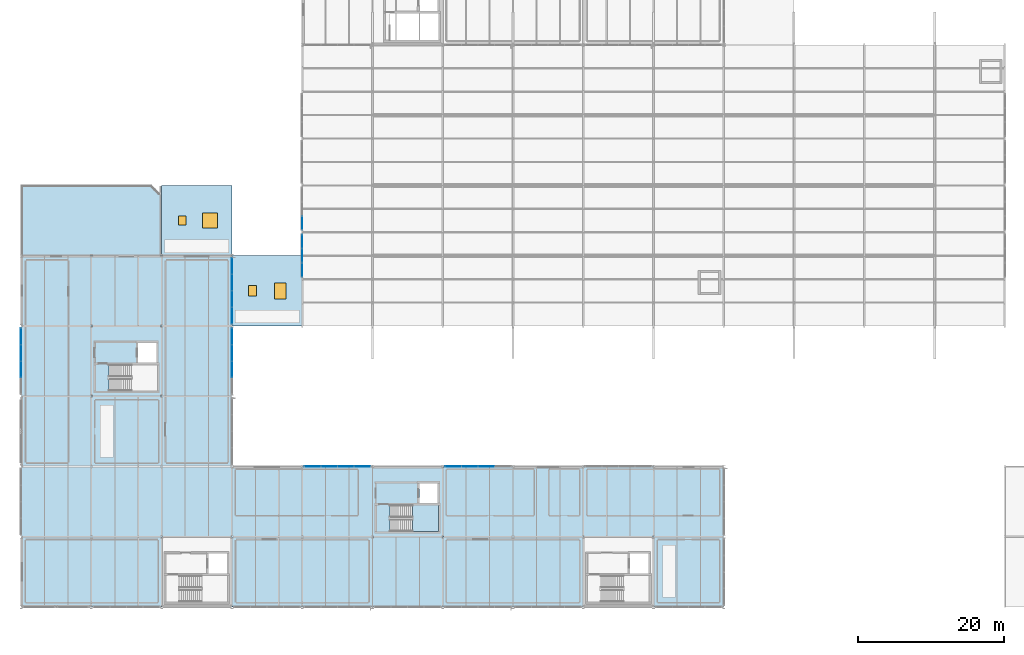
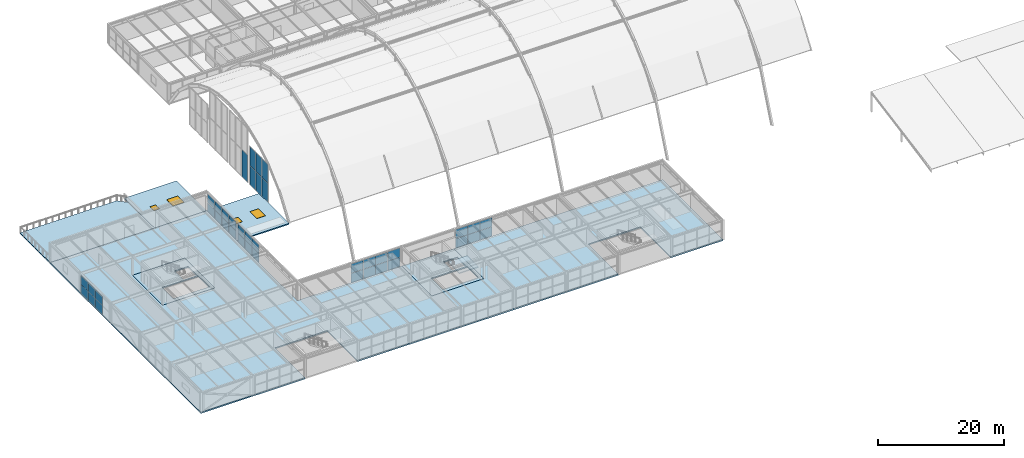
# One storey, part 105 of 126: 41 plates, 7 slabs, 2 doors, 2 windows, 4 openings, 8 elements without a shape of their own.
"""IFC4 building model written with IfcOpenShell, lengths in metres."""

from ifc_helpers import new_model, si_unit, direction, frame, origin, origin_2d, place, context, subcontext, project, spatial, polyline, rectangle, outline, extrude, material, layer, layer_set, type_object, element, fill, aggregate, save


model = new_model("IFC4")

# Units and contexts
model_context = context("Model", 3, precision=1e-05, world=origin(), true_north=direction((0.0, 1.0)))
body_context = subcontext(model_context, "Body", "Model", "MODEL_VIEW")
ifc_project = project(units=[si_unit("LENGTHUNIT", "METRE"), si_unit("AREAUNIT", "SQUARE_METRE"), si_unit("VOLUMEUNIT", "CUBIC_METRE"), si_unit("PLANEANGLEUNIT", "RADIAN"), si_unit("MASSUNIT", "GRAM", prefix="KILO")], contexts=[model_context])

# Site, building, storey
site_placement = place(None, origin())
site = spatial("IfcSite", under=ifc_project, at=site_placement, CompositionType="ELEMENT")
building_placement = place(site_placement, origin())
building = spatial("IfcBuilding", under=site, at=building_placement, Name="Coralgate Yard Interchange", CompositionType="ELEMENT")
storey_placement = place(building_placement, frame((0.0, 0.0, 10.5)))
storey = spatial("IfcBuildingStorey", under=building, at=storey_placement, Name="L02", CompositionType="ELEMENT", Elevation=10.5)

# Curtain wall, plates
ifc_material_1 = material(Name="Anodised coastal aluminium and solar-control low-E glass", Category="aluminium")
curtain_wall_type_1 = type_object("IfcCurtainWallType", Name="CW-CW-L02-A", PredefinedType="NOTDEFINED", material=ifc_material_1)
curtain_wall_1_placement = place(storey_placement, origin())
curtain_wall_1 = element("IfcCurtainWall", 1, at=curtain_wall_1_placement, inside=storey, type_object=curtain_wall_type_1, Name="L02 unitised curtain wall CW-L02-W-00-03", PredefinedType="NOTDEFINED")
ifc_material_2 = material(Name="Solar-control double-glazed low-E glass unit", Category="glass")
ifc_layer_1 = layer(ifc_material_2, 0.028076171875)
ifc_layer_set_1 = layer_set([ifc_layer_1], Name="Solar-control double-glazed low-E glass unit")
plate_type_1 = type_object("IfcPlateType", Name="PLT-CP-28", PredefinedType="CURTAIN_PANEL", material=ifc_layer_set_1)
plate_1_placement = place(storey_placement, frame((0.0, 32.47509765625, 0.02490234375), z_axis=(0.0, 0.0, 1.0), x_axis=(0.0, 1.0, 0.0)))
plate_1 = element("IfcPlate", 2, at=plate_1_placement, type_object=plate_type_1, Name="CW-L02-W-00-03 solar-control glazing panel 2-1", PredefinedType="CURTAIN_PANEL", context=body_context, shape_type="SweptSolid", body=[
    extrude(rectangle(XDim=2.199951171875, YDim=0.028076171875, at=origin_2d()), origin(), (0.0, 0.0, 1.0), 1.696533203125),
])
plate_2_placement = place(storey_placement, frame((0.0, 32.47509765625, 1.771484375), z_axis=(0.0, 0.0, 1.0), x_axis=(0.0, 1.0, 0.0)))
plate_2 = element("IfcPlate", 3, at=plate_2_placement, type_object=plate_type_1, Name="CW-L02-W-00-03 solar-control glazing panel 2-2", PredefinedType="CURTAIN_PANEL", context=body_context, shape_type="SweptSolid", body=[
    extrude(rectangle(XDim=2.199951171875, YDim=0.028076171875, at=origin_2d()), origin(), (0.0, 0.0, 1.0), 1.696533203125),
])
plate_3_placement = place(storey_placement, frame((0.0, 34.72509765625, 0.02490234375), z_axis=(0.0, 0.0, 1.0), x_axis=(0.0, 1.0, 0.0)))
plate_3 = element("IfcPlate", 4, at=plate_3_placement, type_object=plate_type_1, Name="CW-L02-W-00-03 solar-control glazing panel 3-1", PredefinedType="CURTAIN_PANEL", context=body_context, shape_type="SweptSolid", body=[
    extrude(rectangle(XDim=2.199951171875, YDim=0.028076171875, at=origin_2d()), origin(), (0.0, 0.0, 1.0), 1.696533203125),
])
plate_4_placement = place(storey_placement, frame((0.0, 34.72509765625, 1.771484375), z_axis=(0.0, 0.0, 1.0), x_axis=(0.0, 1.0, 0.0)))
plate_4 = element("IfcPlate", 5, at=plate_4_placement, type_object=plate_type_1, Name="CW-L02-W-00-03 solar-control glazing panel 3-2", PredefinedType="CURTAIN_PANEL", context=body_context, shape_type="SweptSolid", body=[
    extrude(rectangle(XDim=2.199951171875, YDim=0.028076171875, at=origin_2d()), origin(), (0.0, 0.0, 1.0), 1.696533203125),
])
plate_5_placement = place(storey_placement, frame((0.0, 36.97509765625, 0.02490234375), z_axis=(0.0, 0.0, 1.0), x_axis=(0.0, 1.0, 0.0)))
plate_5 = element("IfcPlate", 6, at=plate_5_placement, type_object=plate_type_1, Name="CW-L02-W-00-03 solar-control glazing panel 4-1", PredefinedType="CURTAIN_PANEL", context=body_context, shape_type="SweptSolid", body=[
    extrude(rectangle(XDim=2.199951171875, YDim=0.028076171875, at=origin_2d()), origin(), (0.0, 0.0, 1.0), 1.696533203125),
])
plate_6_placement = place(storey_placement, frame((0.0, 36.97509765625, 1.771484375), z_axis=(0.0, 0.0, 1.0), x_axis=(0.0, 1.0, 0.0)))
plate_6 = element("IfcPlate", 7, at=plate_6_placement, type_object=plate_type_1, Name="CW-L02-W-00-03 solar-control glazing panel 4-2", PredefinedType="CURTAIN_PANEL", context=body_context, shape_type="SweptSolid", body=[
    extrude(rectangle(XDim=2.199951171875, YDim=0.028076171875, at=origin_2d()), origin(), (0.0, 0.0, 1.0), 1.696533203125),
])
aggregate(curtain_wall_1, [plate_1, plate_2, plate_3, plate_4, plate_5, plate_6])

curtain_wall_2_placement = place(storey_placement, origin())
curtain_wall_2 = element("IfcCurtainWall", 8, at=curtain_wall_2_placement, inside=storey, type_object=curtain_wall_type_1, Name="L02 unitised curtain wall CW-L02-E-02-03", PredefinedType="NOTDEFINED")
plate_7_placement = place(storey_placement, frame((28.800048828125, 36.97509765625, 0.02490234375), z_axis=(0.0, 0.0, 1.0), x_axis=(0.0, -1.0, 0.0)))
plate_7 = element("IfcPlate", 9, at=plate_7_placement, type_object=plate_type_1, Name="CW-L02-E-02-03 solar-control glazing panel 1-1", PredefinedType="CURTAIN_PANEL", context=body_context, shape_type="SweptSolid", body=[
    extrude(rectangle(XDim=2.199951171875, YDim=0.028076171875, at=origin_2d()), origin(), (0.0, 0.0, 1.0), 1.696533203125),
])
plate_8_placement = place(storey_placement, frame((28.800048828125, 36.97509765625, 1.771484375), z_axis=(0.0, 0.0, 1.0), x_axis=(0.0, -1.0, 0.0)))
plate_8 = element("IfcPlate", 10, at=plate_8_placement, type_object=plate_type_1, Name="CW-L02-E-02-03 solar-control glazing panel 1-2", PredefinedType="CURTAIN_PANEL", context=body_context, shape_type="SweptSolid", body=[
    extrude(rectangle(XDim=2.199951171875, YDim=0.028076171875, at=origin_2d()), origin(), (0.0, 0.0, 1.0), 1.696533203125),
])
plate_9_placement = place(storey_placement, frame((28.800048828125, 34.72509765625, 0.02490234375), z_axis=(0.0, 0.0, 1.0), x_axis=(0.0, -1.0, 0.0)))
plate_9 = element("IfcPlate", 11, at=plate_9_placement, type_object=plate_type_1, Name="CW-L02-E-02-03 solar-control glazing panel 2-1", PredefinedType="CURTAIN_PANEL", context=body_context, shape_type="SweptSolid", body=[
    extrude(rectangle(XDim=2.199951171875, YDim=0.028076171875, at=origin_2d()), origin(), (0.0, 0.0, 1.0), 1.696533203125),
])
plate_10_placement = place(storey_placement, frame((28.800048828125, 34.72509765625, 1.771484375), z_axis=(0.0, 0.0, 1.0), x_axis=(0.0, -1.0, 0.0)))
plate_10 = element("IfcPlate", 12, at=plate_10_placement, type_object=plate_type_1, Name="CW-L02-E-02-03 solar-control glazing panel 2-2", PredefinedType="CURTAIN_PANEL", context=body_context, shape_type="SweptSolid", body=[
    extrude(rectangle(XDim=2.199951171875, YDim=0.028076171875, at=origin_2d()), origin(), (0.0, 0.0, 1.0), 1.696533203125),
])
plate_11_placement = place(storey_placement, frame((28.800048828125, 32.47509765625, 0.02490234375), z_axis=(0.0, 0.0, 1.0), x_axis=(0.0, -1.0, 0.0)))
plate_11 = element("IfcPlate", 13, at=plate_11_placement, type_object=plate_type_1, Name="CW-L02-E-02-03 solar-control glazing panel 3-1", PredefinedType="CURTAIN_PANEL", context=body_context, shape_type="SweptSolid", body=[
    extrude(rectangle(XDim=2.199951171875, YDim=0.028076171875, at=origin_2d()), origin(), (0.0, 0.0, 1.0), 1.696533203125),
])
plate_12_placement = place(storey_placement, frame((28.800048828125, 32.47509765625, 1.771484375), z_axis=(0.0, 0.0, 1.0), x_axis=(0.0, -1.0, 0.0)))
plate_12 = element("IfcPlate", 14, at=plate_12_placement, type_object=plate_type_1, Name="CW-L02-E-02-03 solar-control glazing panel 3-2", PredefinedType="CURTAIN_PANEL", context=body_context, shape_type="SweptSolid", body=[
    extrude(rectangle(XDim=2.199951171875, YDim=0.028076171875, at=origin_2d()), origin(), (0.0, 0.0, 1.0), 1.696533203125),
])
aggregate(curtain_wall_2, [plate_7, plate_8, plate_9, plate_10, plate_11, plate_12])

curtain_wall_3_placement = place(storey_placement, origin())
curtain_wall_3 = element("IfcCurtainWall", 15, at=curtain_wall_3_placement, inside=storey, type_object=curtain_wall_type_1, Name="L02 unitised curtain wall CW-L02-E-02-04", PredefinedType="NOTDEFINED")
plate_13_placement = place(storey_placement, frame((28.800048828125, 46.574951171875, 0.02490234375), z_axis=(0.0, 0.0, 1.0), x_axis=(0.0, -1.0, 0.0)))
plate_13 = element("IfcPlate", 16, at=plate_13_placement, type_object=plate_type_1, Name="CW-L02-E-02-04 solar-control glazing panel 1-1", PredefinedType="CURTAIN_PANEL", context=body_context, shape_type="SweptSolid", body=[
    extrude(rectangle(XDim=2.199951171875, YDim=0.028076171875, at=origin_2d()), origin(), (0.0, 0.0, 1.0), 1.696533203125),
])
plate_14_placement = place(storey_placement, frame((28.800048828125, 46.574951171875, 1.771484375), z_axis=(0.0, 0.0, 1.0), x_axis=(0.0, -1.0, 0.0)))
plate_14 = element("IfcPlate", 17, at=plate_14_placement, type_object=plate_type_1, Name="CW-L02-E-02-04 solar-control glazing panel 1-2", PredefinedType="CURTAIN_PANEL", context=body_context, shape_type="SweptSolid", body=[
    extrude(rectangle(XDim=2.199951171875, YDim=0.028076171875, at=origin_2d()), origin(), (0.0, 0.0, 1.0), 1.696533203125),
])
plate_15_placement = place(storey_placement, frame((28.800048828125, 44.324951171875, 0.02490234375), z_axis=(0.0, 0.0, 1.0), x_axis=(0.0, -1.0, 0.0)))
plate_15 = element("IfcPlate", 18, at=plate_15_placement, type_object=plate_type_1, Name="CW-L02-E-02-04 solar-control glazing panel 2-1", PredefinedType="CURTAIN_PANEL", context=body_context, shape_type="SweptSolid", body=[
    extrude(rectangle(XDim=2.199951171875, YDim=0.028076171875, at=origin_2d()), origin(), (0.0, 0.0, 1.0), 1.696533203125),
])
plate_16_placement = place(storey_placement, frame((28.800048828125, 44.324951171875, 1.771484375), z_axis=(0.0, 0.0, 1.0), x_axis=(0.0, -1.0, 0.0)))
plate_16 = element("IfcPlate", 19, at=plate_16_placement, type_object=plate_type_1, Name="CW-L02-E-02-04 solar-control glazing panel 2-2", PredefinedType="CURTAIN_PANEL", context=body_context, shape_type="SweptSolid", body=[
    extrude(rectangle(XDim=2.199951171875, YDim=0.028076171875, at=origin_2d()), origin(), (0.0, 0.0, 1.0), 1.696533203125),
])
plate_17_placement = place(storey_placement, frame((28.800048828125, 42.074951171875, 0.02490234375), z_axis=(0.0, 0.0, 1.0), x_axis=(0.0, -1.0, 0.0)))
plate_17 = element("IfcPlate", 20, at=plate_17_placement, type_object=plate_type_1, Name="CW-L02-E-02-04 solar-control glazing panel 3-1", PredefinedType="CURTAIN_PANEL", context=body_context, shape_type="SweptSolid", body=[
    extrude(rectangle(XDim=2.199951171875, YDim=0.028076171875, at=origin_2d()), origin(), (0.0, 0.0, 1.0), 1.696533203125),
])
plate_18_placement = place(storey_placement, frame((28.800048828125, 42.074951171875, 1.771484375), z_axis=(0.0, 0.0, 1.0), x_axis=(0.0, -1.0, 0.0)))
plate_18 = element("IfcPlate", 21, at=plate_18_placement, type_object=plate_type_1, Name="CW-L02-E-02-04 solar-control glazing panel 3-2", PredefinedType="CURTAIN_PANEL", context=body_context, shape_type="SweptSolid", body=[
    extrude(rectangle(XDim=2.199951171875, YDim=0.028076171875, at=origin_2d()), origin(), (0.0, 0.0, 1.0), 1.696533203125),
])
plate_19_placement = place(storey_placement, frame((28.800048828125, 39.824951171875, 0.02490234375), z_axis=(0.0, 0.0, 1.0), x_axis=(0.0, -1.0, 0.0)))
plate_19 = element("IfcPlate", 22, at=plate_19_placement, type_object=plate_type_1, Name="CW-L02-E-02-04 solar-control glazing panel 4-1", PredefinedType="CURTAIN_PANEL", context=body_context, shape_type="SweptSolid", body=[
    extrude(rectangle(XDim=2.199951171875, YDim=0.028076171875, at=origin_2d()), origin(), (0.0, 0.0, 1.0), 1.696533203125),
])
plate_20_placement = place(storey_placement, frame((28.800048828125, 39.824951171875, 1.771484375), z_axis=(0.0, 0.0, 1.0), x_axis=(0.0, -1.0, 0.0)))
plate_20 = element("IfcPlate", 23, at=plate_20_placement, type_object=plate_type_1, Name="CW-L02-E-02-04 solar-control glazing panel 4-2", PredefinedType="CURTAIN_PANEL", context=body_context, shape_type="SweptSolid", body=[
    extrude(rectangle(XDim=2.199951171875, YDim=0.028076171875, at=origin_2d()), origin(), (0.0, 0.0, 1.0), 1.696533203125),
])
aggregate(curtain_wall_3, [plate_13, plate_14, plate_15, plate_16, plate_17, plate_18, plate_19, plate_20])

curtain_wall_4_placement = place(storey_placement, origin())
curtain_wall_4 = element("IfcCurtainWall", 24, at=curtain_wall_4_placement, inside=storey, type_object=curtain_wall_type_1, Name="L02 unitised curtain wall CW-L02-N-04-01", PredefinedType="NOTDEFINED")
plate_21_placement = place(storey_placement, frame((39.824951171875, 19.199951171875, 0.02490234375), z_axis=(0.0, 0.0, 1.0), x_axis=(1.0, 0.0, 0.0)))
plate_21 = element("IfcPlate", 25, at=plate_21_placement, type_object=plate_type_1, Name="CW-L02-N-04-01 solar-control glazing panel 1-1", PredefinedType="CURTAIN_PANEL", context=body_context, shape_type="SweptSolid", body=[
    extrude(rectangle(XDim=2.199951171875, YDim=0.028076171875, at=origin_2d()), origin(), (0.0, 0.0, 1.0), 1.780029296875),
])
plate_22_placement = place(storey_placement, frame((39.824951171875, 19.199951171875, 1.85498046875), z_axis=(0.0, 0.0, 1.0), x_axis=(1.0, 0.0, 0.0)))
plate_22 = element("IfcPlate", 26, at=plate_22_placement, type_object=plate_type_1, Name="CW-L02-N-04-01 solar-control glazing panel 1-2", PredefinedType="CURTAIN_PANEL", context=body_context, shape_type="SweptSolid", body=[
    extrude(rectangle(XDim=2.199951171875, YDim=0.028076171875, at=origin_2d()), origin(), (0.0, 0.0, 1.0), 1.780029296875),
])
plate_23_placement = place(storey_placement, frame((42.074951171875, 19.199951171875, 0.02490234375), z_axis=(0.0, 0.0, 1.0), x_axis=(1.0, 0.0, 0.0)))
plate_23 = element("IfcPlate", 27, at=plate_23_placement, type_object=plate_type_1, Name="CW-L02-N-04-01 solar-control glazing panel 2-1", PredefinedType="CURTAIN_PANEL", context=body_context, shape_type="SweptSolid", body=[
    extrude(rectangle(XDim=2.199951171875, YDim=0.028076171875, at=origin_2d()), origin(), (0.0, 0.0, 1.0), 1.780029296875),
])
plate_24_placement = place(storey_placement, frame((42.074951171875, 19.199951171875, 1.85498046875), z_axis=(0.0, 0.0, 1.0), x_axis=(1.0, 0.0, 0.0)))
plate_24 = element("IfcPlate", 28, at=plate_24_placement, type_object=plate_type_1, Name="CW-L02-N-04-01 solar-control glazing panel 2-2", PredefinedType="CURTAIN_PANEL", context=body_context, shape_type="SweptSolid", body=[
    extrude(rectangle(XDim=2.199951171875, YDim=0.028076171875, at=origin_2d()), origin(), (0.0, 0.0, 1.0), 1.780029296875),
])
plate_25_placement = place(storey_placement, frame((44.324951171875, 19.199951171875, 0.02490234375), z_axis=(0.0, 0.0, 1.0), x_axis=(1.0, 0.0, 0.0)))
plate_25 = element("IfcPlate", 29, at=plate_25_placement, type_object=plate_type_1, Name="CW-L02-N-04-01 solar-control glazing panel 3-1", PredefinedType="CURTAIN_PANEL", context=body_context, shape_type="SweptSolid", body=[
    extrude(rectangle(XDim=2.199951171875, YDim=0.028076171875, at=origin_2d()), origin(), (0.0, 0.0, 1.0), 1.780029296875),
])
plate_26_placement = place(storey_placement, frame((44.324951171875, 19.199951171875, 1.85498046875), z_axis=(0.0, 0.0, 1.0), x_axis=(1.0, 0.0, 0.0)))
plate_26 = element("IfcPlate", 30, at=plate_26_placement, type_object=plate_type_1, Name="CW-L02-N-04-01 solar-control glazing panel 3-2", PredefinedType="CURTAIN_PANEL", context=body_context, shape_type="SweptSolid", body=[
    extrude(rectangle(XDim=2.199951171875, YDim=0.028076171875, at=origin_2d()), origin(), (0.0, 0.0, 1.0), 1.780029296875),
])
plate_27_placement = place(storey_placement, frame((46.574951171875, 19.199951171875, 0.02490234375), z_axis=(0.0, 0.0, 1.0), x_axis=(1.0, 0.0, 0.0)))
plate_27 = element("IfcPlate", 31, at=plate_27_placement, type_object=plate_type_1, Name="CW-L02-N-04-01 solar-control glazing panel 4-1", PredefinedType="CURTAIN_PANEL", context=body_context, shape_type="SweptSolid", body=[
    extrude(rectangle(XDim=2.199951171875, YDim=0.028076171875, at=origin_2d()), origin(), (0.0, 0.0, 1.0), 1.780029296875),
])
plate_28_placement = place(storey_placement, frame((46.574951171875, 19.199951171875, 1.85498046875), z_axis=(0.0, 0.0, 1.0), x_axis=(1.0, 0.0, 0.0)))
plate_28 = element("IfcPlate", 32, at=plate_28_placement, type_object=plate_type_1, Name="CW-L02-N-04-01 solar-control glazing panel 4-2", PredefinedType="CURTAIN_PANEL", context=body_context, shape_type="SweptSolid", body=[
    extrude(rectangle(XDim=2.199951171875, YDim=0.028076171875, at=origin_2d()), origin(), (0.0, 0.0, 1.0), 1.780029296875),
])
aggregate(curtain_wall_4, [plate_21, plate_22, plate_23, plate_24, plate_25, plate_26, plate_27, plate_28])

curtain_wall_5_placement = place(storey_placement, origin())
curtain_wall_5 = element("IfcCurtainWall", 33, at=curtain_wall_5_placement, inside=storey, type_object=curtain_wall_type_1, Name="L02 unitised curtain wall CW-L02-N-06-01", PredefinedType="NOTDEFINED")
plate_29_placement = place(storey_placement, frame((59.02490234375, 19.199951171875, 0.02490234375), z_axis=(0.0, 0.0, 1.0), x_axis=(1.0, 0.0, 0.0)))
plate_29 = element("IfcPlate", 34, at=plate_29_placement, type_object=plate_type_1, Name="CW-L02-N-06-01 solar-control glazing panel 1-1", PredefinedType="CURTAIN_PANEL", context=body_context, shape_type="SweptSolid", body=[
    extrude(rectangle(XDim=2.199951171875, YDim=0.028076171875, at=origin_2d()), origin(), (0.0, 0.0, 1.0), 1.780029296875),
])
plate_30_placement = place(storey_placement, frame((59.02490234375, 19.199951171875, 1.85498046875), z_axis=(0.0, 0.0, 1.0), x_axis=(1.0, 0.0, 0.0)))
plate_30 = element("IfcPlate", 35, at=plate_30_placement, type_object=plate_type_1, Name="CW-L02-N-06-01 solar-control glazing panel 1-2", PredefinedType="CURTAIN_PANEL", context=body_context, shape_type="SweptSolid", body=[
    extrude(rectangle(XDim=2.199951171875, YDim=0.028076171875, at=origin_2d()), origin(), (0.0, 0.0, 1.0), 1.780029296875),
])
plate_31_placement = place(storey_placement, frame((61.27490234375, 19.199951171875, 0.02490234375), z_axis=(0.0, 0.0, 1.0), x_axis=(1.0, 0.0, 0.0)))
plate_31 = element("IfcPlate", 36, at=plate_31_placement, type_object=plate_type_1, Name="CW-L02-N-06-01 solar-control glazing panel 2-1", PredefinedType="CURTAIN_PANEL", context=body_context, shape_type="SweptSolid", body=[
    extrude(rectangle(XDim=2.199951171875, YDim=0.028076171875, at=origin_2d()), origin(), (0.0, 0.0, 1.0), 1.780029296875),
])
plate_32_placement = place(storey_placement, frame((61.27490234375, 19.199951171875, 1.85498046875), z_axis=(0.0, 0.0, 1.0), x_axis=(1.0, 0.0, 0.0)))
plate_32 = element("IfcPlate", 37, at=plate_32_placement, type_object=plate_type_1, Name="CW-L02-N-06-01 solar-control glazing panel 2-2", PredefinedType="CURTAIN_PANEL", context=body_context, shape_type="SweptSolid", body=[
    extrude(rectangle(XDim=2.199951171875, YDim=0.028076171875, at=origin_2d()), origin(), (0.0, 0.0, 1.0), 1.780029296875),
])
plate_33_placement = place(storey_placement, frame((63.52490234375, 19.199951171875, 0.02490234375), z_axis=(0.0, 0.0, 1.0), x_axis=(1.0, 0.0, 0.0)))
plate_33 = element("IfcPlate", 38, at=plate_33_placement, type_object=plate_type_1, Name="CW-L02-N-06-01 solar-control glazing panel 3-1", PredefinedType="CURTAIN_PANEL", context=body_context, shape_type="SweptSolid", body=[
    extrude(rectangle(XDim=2.199951171875, YDim=0.028076171875, at=origin_2d()), origin(), (0.0, 0.0, 1.0), 1.780029296875),
])
plate_34_placement = place(storey_placement, frame((63.52490234375, 19.199951171875, 1.85498046875), z_axis=(0.0, 0.0, 1.0), x_axis=(1.0, 0.0, 0.0)))
plate_34 = element("IfcPlate", 39, at=plate_34_placement, type_object=plate_type_1, Name="CW-L02-N-06-01 solar-control glazing panel 3-2", PredefinedType="CURTAIN_PANEL", context=body_context, shape_type="SweptSolid", body=[
    extrude(rectangle(XDim=2.199951171875, YDim=0.028076171875, at=origin_2d()), origin(), (0.0, 0.0, 1.0), 1.780029296875),
])
aggregate(curtain_wall_5, [plate_29, plate_30, plate_31, plate_32, plate_33, plate_34])

curtain_wall_type_2 = type_object("IfcCurtainWallType", Name="CW-CW-VLT-2", PredefinedType="NOTDEFINED", material=ifc_material_1)
curtain_wall_6_placement = place(storey_placement, origin())
curtain_wall_6 = element("IfcCurtainWall", 40, at=curtain_wall_6_placement, inside=storey, type_object=curtain_wall_type_2, Name="L02 unitised curtain wall CW-VAULT-W-2", PredefinedType="NOTDEFINED")
ifc_layer_2 = layer(ifc_material_2, 0.0419921875)
ifc_layer_set_2 = layer_set([ifc_layer_2], Name="Solar-control double-glazed low-E glass unit")
plate_type_2 = type_object("IfcPlateType", Name="PLT-CP-42", PredefinedType="CURTAIN_PANEL", material=ifc_layer_set_2)
plate_35_placement = place(storey_placement, frame((38.39990234375, 46.0732421875, 0.02490234375), z_axis=(0.0, 0.0, 1.0), x_axis=(0.0, 1.0, 0.0)))
plate_35 = element("IfcPlate", 41, at=plate_35_placement, type_object=plate_type_2, Name="CW-VAULT-W-2 solar-control glazing panel 1-1", PredefinedType="CURTAIN_PANEL", context=body_context, shape_type="SweptSolid", body=[
    extrude(rectangle(XDim=1.876708984375, YDim=0.0419921875, at=origin_2d()), origin(), (0.0, 0.0, 1.0), 3.666015625),
])
plate_36_placement = place(storey_placement, frame((38.39990234375, 46.0732421875, 3.740966796875), z_axis=(0.0, 0.0, 1.0), x_axis=(0.0, 1.0, 0.0)))
plate_36 = element("IfcPlate", 42, at=plate_36_placement, type_object=plate_type_2, Name="CW-VAULT-W-2 solar-control glazing panel 1-2", PredefinedType="CURTAIN_PANEL", context=body_context, shape_type="SweptSolid", body=[
    extrude(rectangle(XDim=1.876708984375, YDim=0.0419921875, at=origin_2d()), origin(), (0.0, 0.0, 1.0), 3.666015625),
])
plate_37_placement = place(storey_placement, frame((38.39990234375, 48.0, 0.02490234375), z_axis=(0.0, 0.0, 1.0), x_axis=(0.0, 1.0, 0.0)))
plate_37 = element("IfcPlate", 43, at=plate_37_placement, type_object=plate_type_2, Name="CW-VAULT-W-2 solar-control glazing panel 2-1", PredefinedType="CURTAIN_PANEL", context=body_context, shape_type="SweptSolid", body=[
    extrude(rectangle(XDim=1.876708984375, YDim=0.0419921875, at=origin_2d()), origin(), (0.0, 0.0, 1.0), 3.666015625),
])
plate_38_placement = place(storey_placement, frame((38.39990234375, 48.0, 3.740966796875), z_axis=(0.0, 0.0, 1.0), x_axis=(0.0, 1.0, 0.0)))
plate_38 = element("IfcPlate", 44, at=plate_38_placement, type_object=plate_type_2, Name="CW-VAULT-W-2 solar-control glazing panel 2-2", PredefinedType="CURTAIN_PANEL", context=body_context, shape_type="SweptSolid", body=[
    extrude(rectangle(XDim=1.876708984375, YDim=0.0419921875, at=origin_2d()), origin(), (0.0, 0.0, 1.0), 3.666015625),
])
plate_39_placement = place(storey_placement, frame((38.39990234375, 49.9267578125, 0.02490234375), z_axis=(0.0, 0.0, 1.0), x_axis=(0.0, 1.0, 0.0)))
plate_39 = element("IfcPlate", 45, at=plate_39_placement, type_object=plate_type_2, Name="CW-VAULT-W-2 solar-control glazing panel 3-1", PredefinedType="CURTAIN_PANEL", context=body_context, shape_type="SweptSolid", body=[
    extrude(rectangle(XDim=1.876708984375, YDim=0.0419921875, at=origin_2d()), origin(), (0.0, 0.0, 1.0), 3.666015625),
])
plate_40_placement = place(storey_placement, frame((38.39990234375, 49.9267578125, 3.740966796875), z_axis=(0.0, 0.0, 1.0), x_axis=(0.0, 1.0, 0.0)))
plate_40 = element("IfcPlate", 46, at=plate_40_placement, type_object=plate_type_2, Name="CW-VAULT-W-2 solar-control glazing panel 3-2", PredefinedType="CURTAIN_PANEL", context=body_context, shape_type="SweptSolid", body=[
    extrude(rectangle(XDim=1.876708984375, YDim=0.0419921875, at=origin_2d()), origin(), (0.0, 0.0, 1.0), 3.666015625),
])
aggregate(curtain_wall_6, [plate_35, plate_36, plate_37, plate_38, plate_39, plate_40])

# Curtain wall, plate
curtain_wall_type_3 = type_object("IfcCurtainWallType", Name="CW-CW-VLT-3", PredefinedType="NOTDEFINED", material=ifc_material_1)
curtain_wall_7_placement = place(storey_placement, origin())
curtain_wall_7 = element("IfcCurtainWall", 47, at=curtain_wall_7_placement, inside=storey, type_object=curtain_wall_type_3, Name="L02 unitised curtain wall CW-VAULT-W-3", PredefinedType="NOTDEFINED")
plate_41_placement = place(storey_placement, frame((38.39990234375, 52.473388671875, 0.02490234375), z_axis=(0.0, 0.0, 1.0), x_axis=(0.0, 1.0, 0.0)))
plate_41 = element("IfcPlate", 48, at=plate_41_placement, type_object=plate_type_2, Name="CW-VAULT-W-3 solar-control glazing panel 1-1", PredefinedType="CURTAIN_PANEL", context=body_context, shape_type="SweptSolid", body=[
    extrude(rectangle(XDim=1.876708984375, YDim=0.0419921875, at=origin_2d()), origin(), (0.0, 0.0, 1.0), 5.238037109375),
])
aggregate(curtain_wall_7, [plate_41])

# Stair, slab
ifc_material_3 = material(Name="Concrete C40/50", Category="concrete")
stair_type = type_object("IfcStairType", Name="STR-DL-165-42", PredefinedType="HALF_TURN_STAIR", material=ifc_material_3)
stair_placement = place(storey_placement, origin())
stair = element("IfcStair", 49, at=stair_placement, inside=storey, type_object=stair_type, Name="L02 Escape stair ST-02", PredefinedType="HALF_TURN_STAIR")
ifc_layer_3 = layer(ifc_material_3, 0.199951171875)
ifc_layer_set_3 = layer_set([ifc_layer_3], Name="Concrete C40/50")
slab_type_1 = type_object("IfcSlabType", Name="SLB-LND200", PredefinedType="LANDING", material=ifc_layer_set_3)
slab_1_placement = place(storey_placement, frame((0.0, 0.0, 1.89990234375)))
slab_1 = element("IfcSlab", 50, at=slab_1_placement, type_object=slab_type_1, Name="ST-02 landing 1", PredefinedType="LANDING", context=body_context, shape_type="SweptSolid", body=[
    extrude(outline(polyline([(53.47998046875, 10.320068359375), (57.0, 10.320068359375), (57.0, 13.909912109375), (53.47998046875, 13.909912109375), (53.47998046875, 10.320068359375)])), origin(), (0.0, 0.0, 1.0), 0.2001953125),
])
aggregate(stair, [slab_1])

# Slabs
ifc_layer_4 = layer(ifc_material_3, 0.25)
ifc_layer_set_4 = layer_set([ifc_layer_4], Name="Concrete C40/50")
slab_type_2 = type_object("IfcSlabType", Name="SLB-SL-FLR250", PredefinedType="FLOOR", material=ifc_layer_set_4)
slab_2_placement = place(storey_placement, frame((0.0, 0.0, -0.25)))
element("IfcSlab", 51, at=slab_2_placement, inside=storey, type_object=slab_type_2, Name="L02 core C1 structural floor slab", PredefinedType="FLOOR", context=body_context, shape_type="SweptSolid", body=[
    extrude(outline(polyline([(19.199951171875, 38.39990234375), (19.199951171875, 28.800048828125), (9.60009765625, 28.800048828125), (9.60009765625, 38.39990234375), (19.199951171875, 38.39990234375)]), holes=[polyline([(18.60009765625, 33.110107421875), (12.02001953125, 33.110107421875), (12.02001953125, 29.52001953125), (18.60009765625, 29.52001953125), (18.60009765625, 33.110107421875)]), polyline([(18.5, 33.25), (18.5, 36.10009765625), (16.0, 36.10009765625), (16.0, 33.25), (18.5, 33.25)])]), origin(), (0.0, 0.0, 1.0), 0.25),
])
slab_3_placement = place(storey_placement, frame((0.0, 0.0, -0.25)))
element("IfcSlab", 52, at=slab_3_placement, inside=storey, type_object=slab_type_2, Name="L02 core C2 structural floor slab", PredefinedType="FLOOR", context=body_context, shape_type="SweptSolid", body=[
    extrude(outline(polyline([(57.60009765625, 19.199951171875), (57.60009765625, 9.60009765625), (48.0, 9.60009765625), (48.0, 19.199951171875), (57.60009765625, 19.199951171875)]), holes=[polyline([(57.0, 13.909912109375), (50.419921875, 13.909912109375), (50.419921875, 10.320068359375), (57.0, 10.320068359375), (57.0, 13.909912109375)]), polyline([(56.89990234375, 14.050048828125), (56.89990234375, 16.89990234375), (54.39990234375, 16.89990234375), (54.39990234375, 14.050048828125), (56.89990234375, 14.050048828125)])]), origin(), (0.0, 0.0, 1.0), 0.25),
])
slab_4_placement = place(storey_placement, frame((0.0, 0.0, -0.25)))
element("IfcSlab", 53, at=slab_4_placement, inside=storey, type_object=slab_type_2, Name="L02 operations control L-shaped composite slab", PredefinedType="FLOOR", context=body_context, shape_type="SweptSolid", body=[
    extrude(outline(polyline([(0.0, 28.800048828125), (0.0, 38.39990234375), (0.0, 48.0), (9.60009765625, 48.0), (19.199951171875, 48.0), (28.800048828125, 48.0), (28.800048828125, 38.39990234375), (28.800048828125, 28.800048828125), (28.800048828125, 19.199951171875), (38.39990234375, 19.199951171875), (48.0, 19.199951171875), (48.0, 9.60009765625), (57.60009765625, 9.60009765625), (57.60009765625, 19.199951171875), (67.199951171875, 19.199951171875), (76.800048828125, 19.199951171875), (86.39990234375, 19.199951171875), (96.0, 19.199951171875), (96.0, 9.60009765625), (96.0, 0.0), (86.39990234375, 0.0), (86.39990234375, 9.60009765625), (76.800048828125, 9.60009765625), (76.800048828125, 0.0), (67.199951171875, 0.0), (57.60009765625, 0.0), (48.0, 0.0), (38.39990234375, 0.0), (28.800048828125, 0.0), (28.800048828125, 9.60009765625), (19.199951171875, 9.60009765625), (19.199951171875, 0.0), (9.60009765625, 0.0), (0.0, 0.0), (0.0, 9.60009765625), (0.0, 19.199951171875), (0.0, 28.800048828125)]), holes=[polyline([(9.60009765625, 28.800048828125), (19.199951171875, 28.800048828125), (19.199951171875, 38.39990234375), (9.60009765625, 38.39990234375), (9.60009765625, 28.800048828125)])]), origin(), (0.0, 0.0, 1.0), 0.25),
])

# Slab, openings, door, window
ifc_layer_5 = layer(ifc_material_3, 0.219970703125)
ifc_layer_set_5 = layer_set([ifc_layer_5], Name="Concrete C40/50")
slab_type_3 = type_object("IfcSlabType", Name="SLB-SL-RF220", PredefinedType="ROOF", material=ifc_layer_set_5)
slab_5_placement = place(storey_placement, frame((0.0, 0.0, -0.219970703125)))
slab_5 = element("IfcSlab", 54, at=slab_5_placement, inside=storey, type_object=slab_type_3, Name="L02 flat concrete roof bay 1 over L01", PredefinedType="ROOF", context=body_context, shape_type="SweptSolid", body=[
    extrude(outline(polyline([(19.199951171875, 48.0), (28.800048828125, 48.0), (28.800048828125, 57.60009765625), (19.199951171875, 57.60009765625), (19.199951171875, 48.0)])), origin(), (0.0, 0.0, 1.0), 0.219970703125),
])
opening_1_placement = place(slab_5_placement, frame((22.0, 52.800048828125, -0.010009765625)))
opening_1 = element("IfcOpeningElement", 55, at=opening_1_placement, cuts=slab_5, Name="Opening RH-1", PredefinedType="OPENING", context=body_context, shape_type="SweptSolid", body=[
    extrude(rectangle(XDim=1.0, YDim=1.199951171875, at=origin_2d()), origin(), (0.0, 0.0, 1.0), 0.2900390625),
])
opening_2_placement = place(slab_5_placement, frame((25.800048828125, 52.800048828125, -0.010009765625)))
opening_2 = element("IfcOpeningElement", 56, at=opening_2_placement, cuts=slab_5, Name="Opening SK-03", PredefinedType="OPENING", context=body_context, shape_type="SweptSolid", body=[
    extrude(rectangle(XDim=2.0, YDim=2.0, at=origin_2d()), origin(), (0.0, 0.0, 1.0), 0.2900390625),
])
ifc_material_4 = material(Name="Insulated marine aluminium roof access hatch", Category="aluminium")
door_type_1 = type_object("IfcDoorType", Name="DOR-RH-1", OperationType="NOTDEFINED", PredefinedType="TRAPDOOR", material=ifc_material_4)
door_1_placement = place(opening_1_placement, frame((0.0, 0.0, 0.22998046875)))
door_1 = element("IfcDoor", 57, at=door_1_placement, inside=storey, type_object=door_type_1, Name="L02 maintenance roof access hatch RH-03", OperationType="SINGLE_SWING_LEFT", OverallHeight=1.199951171875, OverallWidth=1.0, PredefinedType="TRAPDOOR", context=body_context, shape_type="SweptSolid", body=[
    extrude(rectangle(XDim=1.0, YDim=1.199951171875, at=origin_2d()), origin(), (0.0, 0.0, 1.0), 0.050048828125),
])
fill(opening_1, door_1)
ifc_material_5 = material(Name="Thermally broken anodised aluminium and solar-control low-E glass", Category="aluminium")
window_type_1 = type_object("IfcWindowType", Name="WIN-SK-03", PartitioningType="SINGLE_PANEL", PredefinedType="SKYLIGHT", material=ifc_material_5)
window_1_placement = place(opening_2_placement, frame((0.0, 0.0, 0.22998046875)))
window_1 = element("IfcWindow", 58, at=window_1_placement, inside=storey, type_object=window_type_1, Name="L02 insulated roof skylight SK-03", OverallHeight=2.0, OverallWidth=2.0, PartitioningType="SINGLE_PANEL", PredefinedType="SKYLIGHT", context=body_context, shape_type="SweptSolid", body=[
    extrude(rectangle(XDim=2.0, YDim=2.0, at=origin_2d()), origin(), (0.0, 0.0, 1.0), 0.050048828125),
])
fill(opening_2, window_1)

slab_6_placement = place(storey_placement, frame((0.0, 0.0, -0.219970703125)))
slab_6 = element("IfcSlab", 59, at=slab_6_placement, inside=storey, type_object=slab_type_3, Name="L02 flat concrete roof bay 2 over L01", PredefinedType="ROOF", context=body_context, shape_type="SweptSolid", body=[
    extrude(outline(polyline([(28.800048828125, 38.39990234375), (38.39990234375, 38.39990234375), (38.39990234375, 48.0), (28.800048828125, 48.0), (28.800048828125, 38.39990234375)])), origin(), (0.0, 0.0, 1.0), 0.219970703125),
])
opening_3_placement = place(slab_6_placement, frame((31.60009765625, 43.199951171875, -0.010009765625)))
opening_3 = element("IfcOpeningElement", 60, at=opening_3_placement, cuts=slab_6, Name="Opening RH-2", PredefinedType="OPENING", context=body_context, shape_type="SweptSolid", body=[
    extrude(rectangle(XDim=1.10009765625, YDim=1.39990234375, at=origin_2d()), origin(), (0.0, 0.0, 1.0), 0.2900390625),
])
opening_4_placement = place(slab_6_placement, frame((35.39990234375, 43.199951171875, -0.010009765625)))
opening_4 = element("IfcOpeningElement", 61, at=opening_4_placement, cuts=slab_6, Name="Opening SK-04", PredefinedType="OPENING", context=body_context, shape_type="SweptSolid", body=[
    extrude(rectangle(XDim=1.60009765625, YDim=2.199951171875, at=origin_2d()), origin(), (0.0, 0.0, 1.0), 0.2900390625),
])
ifc_material_6 = material(Name="Insulated marine aluminium plant roof hatch", Category="aluminium")
door_type_2 = type_object("IfcDoorType", Name="DOR-RH-2", OperationType="NOTDEFINED", PredefinedType="TRAPDOOR", material=ifc_material_6)
door_2_placement = place(opening_3_placement, frame((0.0, 0.0, 0.22998046875)))
door_2 = element("IfcDoor", 62, at=door_2_placement, inside=storey, type_object=door_type_2, Name="L02 maintenance roof access hatch RH-04", OperationType="SINGLE_SWING_LEFT", OverallHeight=1.39990234375, OverallWidth=1.10009765625, PredefinedType="TRAPDOOR", context=body_context, shape_type="SweptSolid", body=[
    extrude(rectangle(XDim=1.10009765625, YDim=1.39990234375, at=origin_2d()), origin(), (0.0, 0.0, 1.0), 0.050048828125),
])
fill(opening_3, door_2)
window_type_2 = type_object("IfcWindowType", Name="WIN-SK-04", PartitioningType="SINGLE_PANEL", PredefinedType="SKYLIGHT", material=ifc_material_5)
window_2_placement = place(opening_4_placement, frame((0.0, 0.0, 0.22998046875)))
window_2 = element("IfcWindow", 63, at=window_2_placement, inside=storey, type_object=window_type_2, Name="L02 insulated roof skylight SK-04", OverallHeight=2.199951171875, OverallWidth=1.60009765625, PartitioningType="SINGLE_PANEL", PredefinedType="SKYLIGHT", context=body_context, shape_type="SweptSolid", body=[
    extrude(rectangle(XDim=1.60009765625, YDim=2.199951171875, at=origin_2d()), origin(), (0.0, 0.0, 1.0), 0.050048828125),
])
fill(opening_4, window_2)

# Slab
ifc_layer_6 = layer(ifc_material_3, 0.22998046875)
ifc_layer_set_6 = layer_set([ifc_layer_6], Name="Concrete C40/50")
slab_type_4 = type_object("IfcSlabType", Name="SLB-SL-TER230", PredefinedType="FLOOR", material=ifc_layer_set_6)
slab_7_placement = place(storey_placement, frame((0.0, 0.0, -0.22998046875)))
element("IfcSlab", 64, at=slab_7_placement, inside=storey, type_object=slab_type_4, Name="L02 shaded coastal veranda terrace slab", PredefinedType="FLOOR", context=body_context, shape_type="SweptSolid", body=[
    extrude(outline(polyline([(0.0, 57.60009765625), (9.60009765625, 57.60009765625), (17.800048828125, 57.60009765625), (19.199951171875, 56.199951171875), (19.199951171875, 48.0), (9.60009765625, 48.0), (0.0, 48.0), (0.0, 57.60009765625)])), origin(), (0.0, 0.0, 1.0), 0.22998046875),
])

save(model, "model.ifc")
